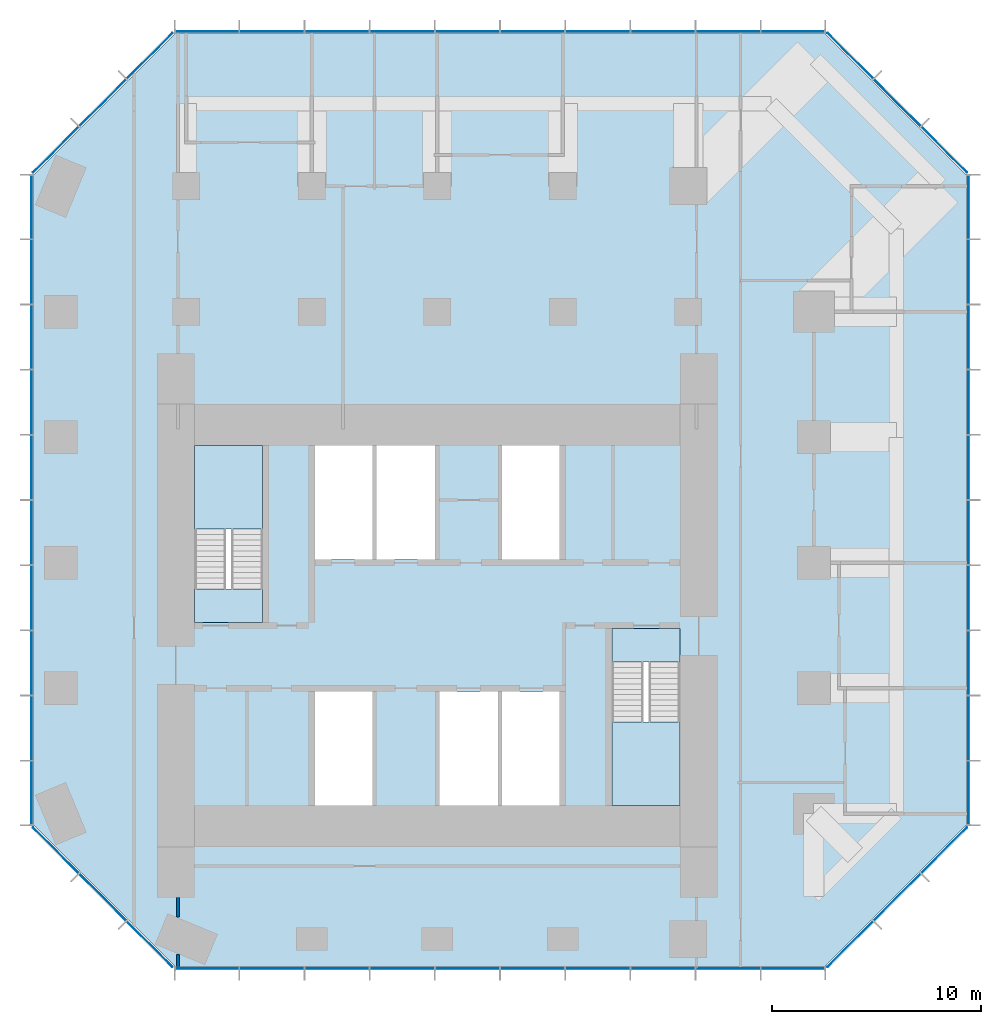
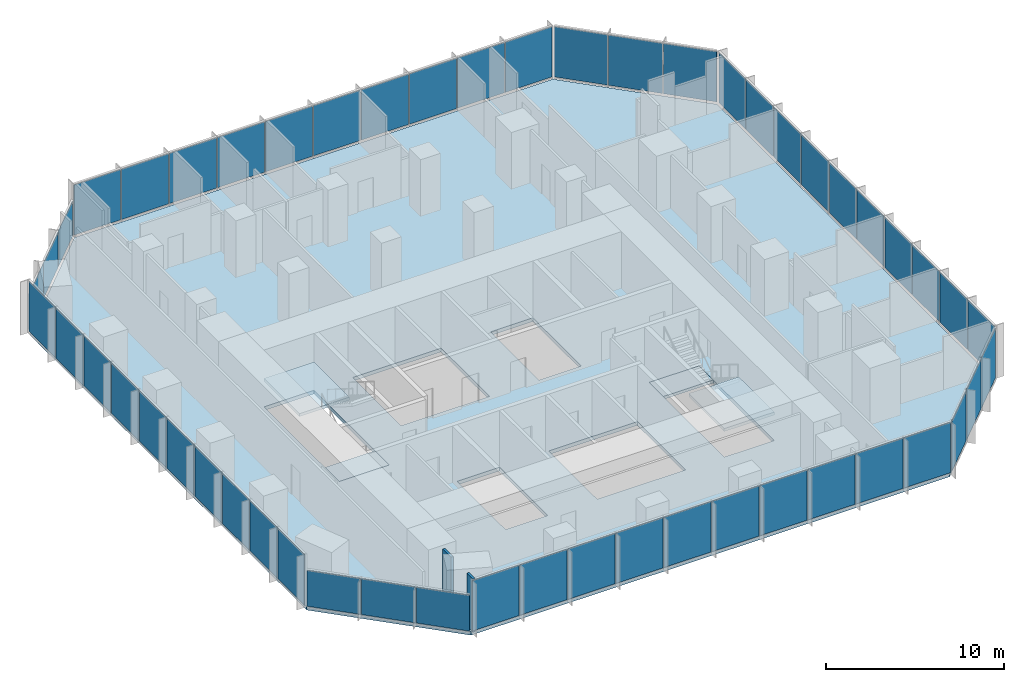
# One storey, part 7 of 11: 52 plates, 5 slabs, 2 walls, 10 elements without a shape of their own.
"""IFC4 building model written with IfcOpenShell, lengths in metres."""

from ifc_helpers import new_model, si_unit, direction, frame, frame_2d, origin, origin_2d, place, context, subcontext, project, spatial, polyline, rectangle, outline, extrude, material, layer, layer_set, type_object, element, aggregate, save


model = new_model("IFC4")

# Units and contexts
model_context = context("Model", 3, precision=1e-05, world=origin(), true_north=direction((0.0, 1.0)))
body_context = subcontext(model_context, "Body", "Model", "MODEL_VIEW")
ifc_project = project(units=[si_unit("LENGTHUNIT", "METRE"), si_unit("AREAUNIT", "SQUARE_METRE"), si_unit("VOLUMEUNIT", "CUBIC_METRE"), si_unit("PLANEANGLEUNIT", "RADIAN"), si_unit("MASSUNIT", "GRAM", prefix="KILO")], contexts=[model_context])

# Site, building, storey
site_placement = place(None, origin())
site = spatial("IfcSite", under=ifc_project, at=site_placement, CompositionType="ELEMENT")
building_placement = place(site_placement, origin())
building = spatial("IfcBuilding", under=site, at=building_placement, Name="Highveld Stack Headquarters", CompositionType="ELEMENT")
storey_placement = place(building_placement, frame((0.0, 0.0, 185.0)))
storey = spatial("IfcBuildingStorey", under=building, at=storey_placement, Name="L45", CompositionType="ELEMENT", Elevation=185.0)

# Curtain wall, plates
ifc_material_1 = material(Name="Aluminium bronze anodised", Category="aluminium")
ifc_layer_1 = layer(ifc_material_1, 0.199951171875)
ifc_layer_set_1 = layer_set([ifc_layer_1], Name="Aluminium bronze anodised")
curtain_wall_type_1 = type_object("IfcCurtainWallType", Name="CW1 TOWER UNITISED CURTAIN WALL", PredefinedType="NOTDEFINED", material=ifc_layer_set_1)
curtain_wall_1_placement = place(storey_placement, origin())
curtain_wall_1 = element("IfcCurtainWall", 1, at=curtain_wall_1_placement, inside=storey, type_object=curtain_wall_type_1, Name="Curtain wall CW1 L45 S", PredefinedType="NOTDEFINED")
ifc_material_2 = material(Name="Glass bronze tinted double glazed unit", Category="glass")
ifc_layer_2 = layer(ifc_material_2, 0.028076171875)
ifc_layer_set_2 = layer_set([ifc_layer_2], Name="Glass bronze tinted double glazed unit")
plate_type_1 = type_object("IfcPlateType", Name="CW1 PANEL BRONZE TINTED DOUBLE GLAZED UNIT", PredefinedType="CURTAIN_PANEL", material=ifc_layer_set_2)
plate_1_placement = place(storey_placement, frame((-5.005615234375, -13.39990234375, 0.10009765625), z_axis=(0.0, 0.0, 1.0), x_axis=(1.0, 0.0, 0.0)))
plate_1 = element("IfcPlate", 2, at=plate_1_placement, type_object=plate_type_1, Name="CW1 panel L45 1.1", PredefinedType="CURTAIN_PANEL", context=body_context, shape_type="SweptSolid", body=[
    extrude(rectangle(XDim=3.0185546875, YDim=0.028076171875, at=origin_2d()), origin(), (0.0, 0.0, 1.0), 3.449951171875),
])
plate_2_placement = place(storey_placement, frame((-1.906005859375, -13.39990234375, 0.10009765625), z_axis=(0.0, 0.0, 1.0), x_axis=(1.0, 0.0, 0.0)))
plate_2 = element("IfcPlate", 3, at=plate_2_placement, type_object=plate_type_1, Name="CW1 panel L45 2.1", PredefinedType="CURTAIN_PANEL", context=body_context, shape_type="SweptSolid", body=[
    extrude(rectangle(XDim=3.051025390625, YDim=0.028076171875, at=origin_2d()), origin(), (0.0, 0.0, 1.0), 3.449951171875),
])
plate_3_placement = place(storey_placement, frame((1.2099609375, -13.39990234375, 0.10009765625), z_axis=(0.0, 0.0, 1.0), x_axis=(1.0, 0.0, 0.0)))
plate_3 = element("IfcPlate", 4, at=plate_3_placement, type_object=plate_type_1, Name="CW1 panel L45 3.1", PredefinedType="CURTAIN_PANEL", context=body_context, shape_type="SweptSolid", body=[
    extrude(rectangle(XDim=3.051025390625, YDim=0.028076171875, at=origin_2d()), origin(), (0.0, 0.0, 1.0), 3.449951171875),
])
plate_4_placement = place(storey_placement, frame((4.325927734375, -13.39990234375, 0.10009765625), z_axis=(0.0, 0.0, 1.0), x_axis=(1.0, 0.0, 0.0)))
plate_4 = element("IfcPlate", 5, at=plate_4_placement, type_object=plate_type_1, Name="CW1 panel L45 4.1", PredefinedType="CURTAIN_PANEL", context=body_context, shape_type="SweptSolid", body=[
    extrude(rectangle(XDim=3.051025390625, YDim=0.028076171875, at=origin_2d()), origin(), (0.0, 0.0, 1.0), 3.449951171875),
])
plate_5_placement = place(storey_placement, frame((7.44189453125, -13.39990234375, 0.10009765625), z_axis=(0.0, 0.0, 1.0), x_axis=(1.0, 0.0, 0.0)))
plate_5 = element("IfcPlate", 6, at=plate_5_placement, type_object=plate_type_1, Name="CW1 panel L45 5.1", PredefinedType="CURTAIN_PANEL", context=body_context, shape_type="SweptSolid", body=[
    extrude(rectangle(XDim=3.051025390625, YDim=0.028076171875, at=origin_2d()), origin(), (0.0, 0.0, 1.0), 3.449951171875),
])
plate_6_placement = place(storey_placement, frame((10.55810546875, -13.39990234375, 0.10009765625), z_axis=(0.0, 0.0, 1.0), x_axis=(1.0, 0.0, 0.0)))
plate_6 = element("IfcPlate", 7, at=plate_6_placement, type_object=plate_type_1, Name="CW1 panel L45 6.1", PredefinedType="CURTAIN_PANEL", context=body_context, shape_type="SweptSolid", body=[
    extrude(rectangle(XDim=3.051025390625, YDim=0.028076171875, at=origin_2d()), origin(), (0.0, 0.0, 1.0), 3.449951171875),
])
plate_7_placement = place(storey_placement, frame((13.674072265625, -13.39990234375, 0.10009765625), z_axis=(0.0, 0.0, 1.0), x_axis=(1.0, 0.0, 0.0)))
plate_7 = element("IfcPlate", 8, at=plate_7_placement, type_object=plate_type_1, Name="CW1 panel L45 7.1", PredefinedType="CURTAIN_PANEL", context=body_context, shape_type="SweptSolid", body=[
    extrude(rectangle(XDim=3.051025390625, YDim=0.028076171875, at=origin_2d()), origin(), (0.0, 0.0, 1.0), 3.449951171875),
])
plate_8_placement = place(storey_placement, frame((16.789794921875, -13.39990234375, 0.10009765625), z_axis=(0.0, 0.0, 1.0), x_axis=(1.0, 0.0, 0.0)))
plate_8 = element("IfcPlate", 9, at=plate_8_placement, type_object=plate_type_1, Name="CW1 panel L45 8.1", PredefinedType="CURTAIN_PANEL", context=body_context, shape_type="SweptSolid", body=[
    extrude(rectangle(XDim=3.051025390625, YDim=0.028076171875, at=origin_2d()), origin(), (0.0, 0.0, 1.0), 3.449951171875),
])
plate_9_placement = place(storey_placement, frame((19.906005859375, -13.39990234375, 0.10009765625), z_axis=(0.0, 0.0, 1.0), x_axis=(1.0, 0.0, 0.0)))
plate_9 = element("IfcPlate", 10, at=plate_9_placement, type_object=plate_type_1, Name="CW1 panel L45 9.1", PredefinedType="CURTAIN_PANEL", context=body_context, shape_type="SweptSolid", body=[
    extrude(rectangle(XDim=3.051025390625, YDim=0.028076171875, at=origin_2d()), origin(), (0.0, 0.0, 1.0), 3.449951171875),
])
plate_10_placement = place(storey_placement, frame((23.005615234375, -13.39990234375, 0.10009765625), z_axis=(0.0, 0.0, 1.0), x_axis=(1.0, 0.0, 0.0)))
plate_10 = element("IfcPlate", 11, at=plate_10_placement, type_object=plate_type_1, Name="CW1 panel L45 10.1", PredefinedType="CURTAIN_PANEL", context=body_context, shape_type="SweptSolid", body=[
    extrude(rectangle(XDim=3.0185546875, YDim=0.028076171875, at=origin_2d()), origin(), (0.0, 0.0, 1.0), 3.449951171875),
])
aggregate(curtain_wall_1, [plate_1, plate_2, plate_3, plate_4, plate_5, plate_6, plate_7, plate_8, plate_9, plate_10])

curtain_wall_2_placement = place(storey_placement, origin())
curtain_wall_2 = element("IfcCurtainWall", 12, at=curtain_wall_2_placement, inside=storey, type_object=curtain_wall_type_1, Name="Curtain wall CW1 L45 E", PredefinedType="NOTDEFINED")
plate_11_placement = place(storey_placement, frame((31.39990234375, -5.005615234375, 0.10009765625), z_axis=(0.0, 0.0, 1.0), x_axis=(0.0, 1.0, 0.0)))
plate_11 = element("IfcPlate", 13, at=plate_11_placement, type_object=plate_type_1, Name="CW1 panel L45 1.1", PredefinedType="CURTAIN_PANEL", context=body_context, shape_type="SweptSolid", body=[
    extrude(rectangle(XDim=3.0185546875, YDim=0.028076171875, at=origin_2d()), origin(), (0.0, 0.0, 1.0), 3.449951171875),
])
plate_12_placement = place(storey_placement, frame((31.39990234375, -1.906005859375, 0.10009765625), z_axis=(0.0, 0.0, 1.0), x_axis=(0.0, 1.0, 0.0)))
plate_12 = element("IfcPlate", 14, at=plate_12_placement, type_object=plate_type_1, Name="CW1 panel L45 2.1", PredefinedType="CURTAIN_PANEL", context=body_context, shape_type="SweptSolid", body=[
    extrude(rectangle(XDim=3.051025390625, YDim=0.028076171875, at=origin_2d()), origin(), (0.0, 0.0, 1.0), 3.449951171875),
])
plate_13_placement = place(storey_placement, frame((31.39990234375, 1.2099609375, 0.10009765625), z_axis=(0.0, 0.0, 1.0), x_axis=(0.0, 1.0, 0.0)))
plate_13 = element("IfcPlate", 15, at=plate_13_placement, type_object=plate_type_1, Name="CW1 panel L45 3.1", PredefinedType="CURTAIN_PANEL", context=body_context, shape_type="SweptSolid", body=[
    extrude(rectangle(XDim=3.051025390625, YDim=0.028076171875, at=origin_2d()), origin(), (0.0, 0.0, 1.0), 3.449951171875),
])
plate_14_placement = place(storey_placement, frame((31.39990234375, 4.325927734375, 0.10009765625), z_axis=(0.0, 0.0, 1.0), x_axis=(0.0, 1.0, 0.0)))
plate_14 = element("IfcPlate", 16, at=plate_14_placement, type_object=plate_type_1, Name="CW1 panel L45 4.1", PredefinedType="CURTAIN_PANEL", context=body_context, shape_type="SweptSolid", body=[
    extrude(rectangle(XDim=3.051025390625, YDim=0.028076171875, at=origin_2d()), origin(), (0.0, 0.0, 1.0), 3.449951171875),
])
plate_15_placement = place(storey_placement, frame((31.39990234375, 7.44189453125, 0.10009765625), z_axis=(0.0, 0.0, 1.0), x_axis=(0.0, 1.0, 0.0)))
plate_15 = element("IfcPlate", 17, at=plate_15_placement, type_object=plate_type_1, Name="CW1 panel L45 5.1", PredefinedType="CURTAIN_PANEL", context=body_context, shape_type="SweptSolid", body=[
    extrude(rectangle(XDim=3.051025390625, YDim=0.028076171875, at=origin_2d()), origin(), (0.0, 0.0, 1.0), 3.449951171875),
])
plate_16_placement = place(storey_placement, frame((31.39990234375, 10.55810546875, 0.10009765625), z_axis=(0.0, 0.0, 1.0), x_axis=(0.0, 1.0, 0.0)))
plate_16 = element("IfcPlate", 18, at=plate_16_placement, type_object=plate_type_1, Name="CW1 panel L45 6.1", PredefinedType="CURTAIN_PANEL", context=body_context, shape_type="SweptSolid", body=[
    extrude(rectangle(XDim=3.051025390625, YDim=0.028076171875, at=origin_2d()), origin(), (0.0, 0.0, 1.0), 3.449951171875),
])
plate_17_placement = place(storey_placement, frame((31.39990234375, 13.674072265625, 0.10009765625), z_axis=(0.0, 0.0, 1.0), x_axis=(0.0, 1.0, 0.0)))
plate_17 = element("IfcPlate", 19, at=plate_17_placement, type_object=plate_type_1, Name="CW1 panel L45 7.1", PredefinedType="CURTAIN_PANEL", context=body_context, shape_type="SweptSolid", body=[
    extrude(rectangle(XDim=3.051025390625, YDim=0.028076171875, at=origin_2d()), origin(), (0.0, 0.0, 1.0), 3.449951171875),
])
plate_18_placement = place(storey_placement, frame((31.39990234375, 16.789794921875, 0.10009765625), z_axis=(0.0, 0.0, 1.0), x_axis=(0.0, 1.0, 0.0)))
plate_18 = element("IfcPlate", 20, at=plate_18_placement, type_object=plate_type_1, Name="CW1 panel L45 8.1", PredefinedType="CURTAIN_PANEL", context=body_context, shape_type="SweptSolid", body=[
    extrude(rectangle(XDim=3.051025390625, YDim=0.028076171875, at=origin_2d()), origin(), (0.0, 0.0, 1.0), 3.449951171875),
])
plate_19_placement = place(storey_placement, frame((31.39990234375, 19.906005859375, 0.10009765625), z_axis=(0.0, 0.0, 1.0), x_axis=(0.0, 1.0, 0.0)))
plate_19 = element("IfcPlate", 21, at=plate_19_placement, type_object=plate_type_1, Name="CW1 panel L45 9.1", PredefinedType="CURTAIN_PANEL", context=body_context, shape_type="SweptSolid", body=[
    extrude(rectangle(XDim=3.051025390625, YDim=0.028076171875, at=origin_2d()), origin(), (0.0, 0.0, 1.0), 3.449951171875),
])
plate_20_placement = place(storey_placement, frame((31.39990234375, 23.005615234375, 0.10009765625), z_axis=(0.0, 0.0, 1.0), x_axis=(0.0, 1.0, 0.0)))
plate_20 = element("IfcPlate", 22, at=plate_20_placement, type_object=plate_type_1, Name="CW1 panel L45 10.1", PredefinedType="CURTAIN_PANEL", context=body_context, shape_type="SweptSolid", body=[
    extrude(rectangle(XDim=3.0185546875, YDim=0.028076171875, at=origin_2d()), origin(), (0.0, 0.0, 1.0), 3.449951171875),
])
aggregate(curtain_wall_2, [plate_11, plate_12, plate_13, plate_14, plate_15, plate_16, plate_17, plate_18, plate_19, plate_20])

curtain_wall_3_placement = place(storey_placement, origin())
curtain_wall_3 = element("IfcCurtainWall", 23, at=curtain_wall_3_placement, inside=storey, type_object=curtain_wall_type_1, Name="Curtain wall CW1 L45 N", PredefinedType="NOTDEFINED")
plate_21_placement = place(storey_placement, frame((23.005615234375, 31.39990234375, 0.10009765625), z_axis=(0.0, 0.0, 1.0), x_axis=(-1.0, 0.0, 0.0)))
plate_21 = element("IfcPlate", 24, at=plate_21_placement, type_object=plate_type_1, Name="CW1 panel L45 1.1", PredefinedType="CURTAIN_PANEL", context=body_context, shape_type="SweptSolid", body=[
    extrude(rectangle(XDim=3.0185546875, YDim=0.028076171875, at=origin_2d()), origin(), (0.0, 0.0, 1.0), 3.449951171875),
])
plate_22_placement = place(storey_placement, frame((19.906005859375, 31.39990234375, 0.10009765625), z_axis=(0.0, 0.0, 1.0), x_axis=(-1.0, 0.0, 0.0)))
plate_22 = element("IfcPlate", 25, at=plate_22_placement, type_object=plate_type_1, Name="CW1 panel L45 2.1", PredefinedType="CURTAIN_PANEL", context=body_context, shape_type="SweptSolid", body=[
    extrude(rectangle(XDim=3.051025390625, YDim=0.028076171875, at=origin_2d()), origin(), (0.0, 0.0, 1.0), 3.449951171875),
])
plate_23_placement = place(storey_placement, frame((16.7900390625, 31.39990234375, 0.10009765625), z_axis=(0.0, 0.0, 1.0), x_axis=(-1.0, 0.0, 0.0)))
plate_23 = element("IfcPlate", 26, at=plate_23_placement, type_object=plate_type_1, Name="CW1 panel L45 3.1", PredefinedType="CURTAIN_PANEL", context=body_context, shape_type="SweptSolid", body=[
    extrude(rectangle(XDim=3.051025390625, YDim=0.028076171875, at=origin_2d()), origin(), (0.0, 0.0, 1.0), 3.449951171875),
])
plate_24_placement = place(storey_placement, frame((13.674072265625, 31.39990234375, 0.10009765625), z_axis=(0.0, 0.0, 1.0), x_axis=(-1.0, 0.0, 0.0)))
plate_24 = element("IfcPlate", 27, at=plate_24_placement, type_object=plate_type_1, Name="CW1 panel L45 4.1", PredefinedType="CURTAIN_PANEL", context=body_context, shape_type="SweptSolid", body=[
    extrude(rectangle(XDim=3.051025390625, YDim=0.028076171875, at=origin_2d()), origin(), (0.0, 0.0, 1.0), 3.449951171875),
])
plate_25_placement = place(storey_placement, frame((10.55810546875, 31.39990234375, 0.10009765625), z_axis=(0.0, 0.0, 1.0), x_axis=(-1.0, 0.0, 0.0)))
plate_25 = element("IfcPlate", 28, at=plate_25_placement, type_object=plate_type_1, Name="CW1 panel L45 5.1", PredefinedType="CURTAIN_PANEL", context=body_context, shape_type="SweptSolid", body=[
    extrude(rectangle(XDim=3.051025390625, YDim=0.028076171875, at=origin_2d()), origin(), (0.0, 0.0, 1.0), 3.449951171875),
])
plate_26_placement = place(storey_placement, frame((7.44189453125, 31.39990234375, 0.10009765625), z_axis=(0.0, 0.0, 1.0), x_axis=(-1.0, 0.0, 0.0)))
plate_26 = element("IfcPlate", 29, at=plate_26_placement, type_object=plate_type_1, Name="CW1 panel L45 6.1", PredefinedType="CURTAIN_PANEL", context=body_context, shape_type="SweptSolid", body=[
    extrude(rectangle(XDim=3.051025390625, YDim=0.028076171875, at=origin_2d()), origin(), (0.0, 0.0, 1.0), 3.449951171875),
])
plate_27_placement = place(storey_placement, frame((4.325927734375, 31.39990234375, 0.10009765625), z_axis=(0.0, 0.0, 1.0), x_axis=(-1.0, 0.0, 0.0)))
plate_27 = element("IfcPlate", 30, at=plate_27_placement, type_object=plate_type_1, Name="CW1 panel L45 7.1", PredefinedType="CURTAIN_PANEL", context=body_context, shape_type="SweptSolid", body=[
    extrude(rectangle(XDim=3.051025390625, YDim=0.028076171875, at=origin_2d()), origin(), (0.0, 0.0, 1.0), 3.449951171875),
])
plate_28_placement = place(storey_placement, frame((1.210205078125, 31.39990234375, 0.10009765625), z_axis=(0.0, 0.0, 1.0), x_axis=(-1.0, 0.0, 0.0)))
plate_28 = element("IfcPlate", 31, at=plate_28_placement, type_object=plate_type_1, Name="CW1 panel L45 8.1", PredefinedType="CURTAIN_PANEL", context=body_context, shape_type="SweptSolid", body=[
    extrude(rectangle(XDim=3.051025390625, YDim=0.028076171875, at=origin_2d()), origin(), (0.0, 0.0, 1.0), 3.449951171875),
])
plate_29_placement = place(storey_placement, frame((-1.906005859375, 31.39990234375, 0.10009765625), z_axis=(0.0, 0.0, 1.0), x_axis=(-1.0, 0.0, 0.0)))
plate_29 = element("IfcPlate", 32, at=plate_29_placement, type_object=plate_type_1, Name="CW1 panel L45 9.1", PredefinedType="CURTAIN_PANEL", context=body_context, shape_type="SweptSolid", body=[
    extrude(rectangle(XDim=3.051025390625, YDim=0.028076171875, at=origin_2d()), origin(), (0.0, 0.0, 1.0), 3.449951171875),
])
plate_30_placement = place(storey_placement, frame((-5.005615234375, 31.39990234375, 0.10009765625), z_axis=(0.0, 0.0, 1.0), x_axis=(-1.0, 0.0, 0.0)))
plate_30 = element("IfcPlate", 33, at=plate_30_placement, type_object=plate_type_1, Name="CW1 panel L45 10.1", PredefinedType="CURTAIN_PANEL", context=body_context, shape_type="SweptSolid", body=[
    extrude(rectangle(XDim=3.0185546875, YDim=0.028076171875, at=origin_2d()), origin(), (0.0, 0.0, 1.0), 3.449951171875),
])
aggregate(curtain_wall_3, [plate_21, plate_22, plate_23, plate_24, plate_25, plate_26, plate_27, plate_28, plate_29, plate_30])

curtain_wall_4_placement = place(storey_placement, origin())
curtain_wall_4 = element("IfcCurtainWall", 34, at=curtain_wall_4_placement, inside=storey, type_object=curtain_wall_type_1, Name="Curtain wall CW1 L45 W", PredefinedType="NOTDEFINED")
plate_31_placement = place(storey_placement, frame((-13.39990234375, 23.005615234375, 0.10009765625), z_axis=(0.0, 0.0, 1.0), x_axis=(0.0, -1.0, 0.0)))
plate_31 = element("IfcPlate", 35, at=plate_31_placement, type_object=plate_type_1, Name="CW1 panel L45 1.1", PredefinedType="CURTAIN_PANEL", context=body_context, shape_type="SweptSolid", body=[
    extrude(rectangle(XDim=3.0185546875, YDim=0.028076171875, at=origin_2d()), origin(), (0.0, 0.0, 1.0), 3.449951171875),
])
plate_32_placement = place(storey_placement, frame((-13.39990234375, 19.906005859375, 0.10009765625), z_axis=(0.0, 0.0, 1.0), x_axis=(0.0, -1.0, 0.0)))
plate_32 = element("IfcPlate", 36, at=plate_32_placement, type_object=plate_type_1, Name="CW1 panel L45 2.1", PredefinedType="CURTAIN_PANEL", context=body_context, shape_type="SweptSolid", body=[
    extrude(rectangle(XDim=3.051025390625, YDim=0.028076171875, at=origin_2d()), origin(), (0.0, 0.0, 1.0), 3.449951171875),
])
plate_33_placement = place(storey_placement, frame((-13.39990234375, 16.7900390625, 0.10009765625), z_axis=(0.0, 0.0, 1.0), x_axis=(0.0, -1.0, 0.0)))
plate_33 = element("IfcPlate", 37, at=plate_33_placement, type_object=plate_type_1, Name="CW1 panel L45 3.1", PredefinedType="CURTAIN_PANEL", context=body_context, shape_type="SweptSolid", body=[
    extrude(rectangle(XDim=3.051025390625, YDim=0.028076171875, at=origin_2d()), origin(), (0.0, 0.0, 1.0), 3.449951171875),
])
plate_34_placement = place(storey_placement, frame((-13.39990234375, 13.674072265625, 0.10009765625), z_axis=(0.0, 0.0, 1.0), x_axis=(0.0, -1.0, 0.0)))
plate_34 = element("IfcPlate", 38, at=plate_34_placement, type_object=plate_type_1, Name="CW1 panel L45 4.1", PredefinedType="CURTAIN_PANEL", context=body_context, shape_type="SweptSolid", body=[
    extrude(rectangle(XDim=3.051025390625, YDim=0.028076171875, at=origin_2d()), origin(), (0.0, 0.0, 1.0), 3.449951171875),
])
plate_35_placement = place(storey_placement, frame((-13.39990234375, 10.55810546875, 0.10009765625), z_axis=(0.0, 0.0, 1.0), x_axis=(0.0, -1.0, 0.0)))
plate_35 = element("IfcPlate", 39, at=plate_35_placement, type_object=plate_type_1, Name="CW1 panel L45 5.1", PredefinedType="CURTAIN_PANEL", context=body_context, shape_type="SweptSolid", body=[
    extrude(rectangle(XDim=3.051025390625, YDim=0.028076171875, at=origin_2d()), origin(), (0.0, 0.0, 1.0), 3.449951171875),
])
plate_36_placement = place(storey_placement, frame((-13.39990234375, 7.44189453125, 0.10009765625), z_axis=(0.0, 0.0, 1.0), x_axis=(0.0, -1.0, 0.0)))
plate_36 = element("IfcPlate", 40, at=plate_36_placement, type_object=plate_type_1, Name="CW1 panel L45 6.1", PredefinedType="CURTAIN_PANEL", context=body_context, shape_type="SweptSolid", body=[
    extrude(rectangle(XDim=3.051025390625, YDim=0.028076171875, at=origin_2d()), origin(), (0.0, 0.0, 1.0), 3.449951171875),
])
plate_37_placement = place(storey_placement, frame((-13.39990234375, 4.325927734375, 0.10009765625), z_axis=(0.0, 0.0, 1.0), x_axis=(0.0, -1.0, 0.0)))
plate_37 = element("IfcPlate", 41, at=plate_37_placement, type_object=plate_type_1, Name="CW1 panel L45 7.1", PredefinedType="CURTAIN_PANEL", context=body_context, shape_type="SweptSolid", body=[
    extrude(rectangle(XDim=3.051025390625, YDim=0.028076171875, at=origin_2d()), origin(), (0.0, 0.0, 1.0), 3.449951171875),
])
plate_38_placement = place(storey_placement, frame((-13.39990234375, 1.210205078125, 0.10009765625), z_axis=(0.0, 0.0, 1.0), x_axis=(0.0, -1.0, 0.0)))
plate_38 = element("IfcPlate", 42, at=plate_38_placement, type_object=plate_type_1, Name="CW1 panel L45 8.1", PredefinedType="CURTAIN_PANEL", context=body_context, shape_type="SweptSolid", body=[
    extrude(rectangle(XDim=3.051025390625, YDim=0.028076171875, at=origin_2d()), origin(), (0.0, 0.0, 1.0), 3.449951171875),
])
plate_39_placement = place(storey_placement, frame((-13.39990234375, -1.906005859375, 0.10009765625), z_axis=(0.0, 0.0, 1.0), x_axis=(0.0, -1.0, 0.0)))
plate_39 = element("IfcPlate", 43, at=plate_39_placement, type_object=plate_type_1, Name="CW1 panel L45 9.1", PredefinedType="CURTAIN_PANEL", context=body_context, shape_type="SweptSolid", body=[
    extrude(rectangle(XDim=3.051025390625, YDim=0.028076171875, at=origin_2d()), origin(), (0.0, 0.0, 1.0), 3.449951171875),
])
plate_40_placement = place(storey_placement, frame((-13.39990234375, -5.005615234375, 0.10009765625), z_axis=(0.0, 0.0, 1.0), x_axis=(0.0, -1.0, 0.0)))
plate_40 = element("IfcPlate", 44, at=plate_40_placement, type_object=plate_type_1, Name="CW1 panel L45 10.1", PredefinedType="CURTAIN_PANEL", context=body_context, shape_type="SweptSolid", body=[
    extrude(rectangle(XDim=3.0185546875, YDim=0.028076171875, at=origin_2d()), origin(), (0.0, 0.0, 1.0), 3.449951171875),
])
aggregate(curtain_wall_4, [plate_31, plate_32, plate_33, plate_34, plate_35, plate_36, plate_37, plate_38, plate_39, plate_40])

ifc_material_3 = material(Name="Aluminium bronze anodised", Category="aluminium")
ifc_layer_3 = layer(ifc_material_3, 0.199951171875)
ifc_layer_set_3 = layer_set([ifc_layer_3], Name="Aluminium bronze anodised")
curtain_wall_type_2 = type_object("IfcCurtainWallType", Name="CW2 TOWER CHAMFER UNITISED CURTAIN WALL", PredefinedType="NOTDEFINED", material=ifc_layer_set_3)
curtain_wall_5_placement = place(storey_placement, origin())
curtain_wall_5 = element("IfcCurtainWall", 45, at=curtain_wall_5_placement, inside=storey, type_object=curtain_wall_type_2, Name="Curtain wall CW2 L45 SE", PredefinedType="NOTDEFINED")
ifc_material_4 = material(Name="Glass bronze tinted double glazed unit", Category="glass")
ifc_layer_4 = layer(ifc_material_4, 0.028076171875)
ifc_layer_set_4 = layer_set([ifc_layer_4], Name="Glass bronze tinted double glazed unit")
plate_type_2 = type_object("IfcPlateType", Name="CW2 PANEL BRONZE TINTED DOUBLE GLAZED UNIT", PredefinedType="CURTAIN_PANEL", material=ifc_layer_set_4)
plate_41_placement = place(storey_placement, frame((25.740478515625, -12.239501953125, 0.10009765625), z_axis=(0.0, 0.0, 1.0), x_axis=(0.707106781187, 0.707106781187, 0.0)))
plate_41 = element("IfcPlate", 46, at=plate_41_placement, type_object=plate_type_2, Name="CW2 panel L45 1.1", PredefinedType="CURTAIN_PANEL", context=body_context, shape_type="SweptSolid", body=[
    extrude(rectangle(XDim=3.08251953125, YDim=0.028076171875, at=origin_2d()), origin(), (0.0, 0.0, 1.0), 3.449951171875),
])
plate_42_placement = place(storey_placement, frame((27.989990234375, -9.989990234375, 0.10009765625), z_axis=(0.0, 0.0, 1.0), x_axis=(0.707106781187, 0.707106781187, 0.0)))
plate_42 = element("IfcPlate", 47, at=plate_42_placement, type_object=plate_type_2, Name="CW2 panel L45 2.1", PredefinedType="CURTAIN_PANEL", context=body_context, shape_type="SweptSolid", body=[
    extrude(rectangle(XDim=3.14990234375, YDim=0.028076171875, at=origin_2d()), origin(), (0.0, 0.0, 1.0), 3.449951171875),
])
plate_43_placement = place(storey_placement, frame((30.239501953125, -7.740478515625, 0.10009765625), z_axis=(0.0, 0.0, 1.0), x_axis=(0.707106781187, 0.707106781187, 0.0)))
plate_43 = element("IfcPlate", 48, at=plate_43_placement, type_object=plate_type_2, Name="CW2 panel L45 3.1", PredefinedType="CURTAIN_PANEL", context=body_context, shape_type="SweptSolid", body=[
    extrude(rectangle(XDim=3.08251953125, YDim=0.028076171875, at=origin_2d()), origin(), (0.0, 0.0, 1.0), 3.449951171875),
])
aggregate(curtain_wall_5, [plate_41, plate_42, plate_43])

curtain_wall_6_placement = place(storey_placement, origin())
curtain_wall_6 = element("IfcCurtainWall", 49, at=curtain_wall_6_placement, inside=storey, type_object=curtain_wall_type_2, Name="Curtain wall CW2 L45 NE", PredefinedType="NOTDEFINED")
plate_44_placement = place(storey_placement, frame((30.239501953125, 25.740478515625, 0.10009765625), z_axis=(0.0, 0.0, 1.0), x_axis=(-0.707106781187, 0.707106781187, 0.0)))
plate_44 = element("IfcPlate", 50, at=plate_44_placement, type_object=plate_type_2, Name="CW2 panel L45 1.1", PredefinedType="CURTAIN_PANEL", context=body_context, shape_type="SweptSolid", body=[
    extrude(rectangle(XDim=3.08251953125, YDim=0.028076171875, at=origin_2d()), origin(), (0.0, 0.0, 1.0), 3.449951171875),
])
plate_45_placement = place(storey_placement, frame((27.989990234375, 27.989990234375, 0.10009765625), z_axis=(0.0, 0.0, 1.0), x_axis=(-0.707106781187, 0.707106781187, 0.0)))
plate_45 = element("IfcPlate", 51, at=plate_45_placement, type_object=plate_type_2, Name="CW2 panel L45 2.1", PredefinedType="CURTAIN_PANEL", context=body_context, shape_type="SweptSolid", body=[
    extrude(rectangle(XDim=3.14990234375, YDim=0.028076171875, at=origin_2d()), origin(), (0.0, 0.0, 1.0), 3.449951171875),
])
plate_46_placement = place(storey_placement, frame((25.740478515625, 30.239501953125, 0.10009765625), z_axis=(0.0, 0.0, 1.0), x_axis=(-0.707106781187, 0.707106781187, 0.0)))
plate_46 = element("IfcPlate", 52, at=plate_46_placement, type_object=plate_type_2, Name="CW2 panel L45 3.1", PredefinedType="CURTAIN_PANEL", context=body_context, shape_type="SweptSolid", body=[
    extrude(rectangle(XDim=3.08251953125, YDim=0.028076171875, at=origin_2d()), origin(), (0.0, 0.0, 1.0), 3.449951171875),
])
aggregate(curtain_wall_6, [plate_44, plate_45, plate_46])

curtain_wall_7_placement = place(storey_placement, origin())
curtain_wall_7 = element("IfcCurtainWall", 53, at=curtain_wall_7_placement, inside=storey, type_object=curtain_wall_type_2, Name="Curtain wall CW2 L45 NW", PredefinedType="NOTDEFINED")
plate_47_placement = place(storey_placement, frame((-7.740478515625, 30.239501953125, 0.10009765625), z_axis=(0.0, 0.0, 1.0), x_axis=(-0.707106781187, -0.707106781187, 0.0)))
plate_47 = element("IfcPlate", 54, at=plate_47_placement, type_object=plate_type_2, Name="CW2 panel L45 1.1", PredefinedType="CURTAIN_PANEL", context=body_context, shape_type="SweptSolid", body=[
    extrude(rectangle(XDim=3.08251953125, YDim=0.028076171875, at=origin_2d()), origin(), (0.0, 0.0, 1.0), 2.449951171875),
])
plate_48_placement = place(storey_placement, frame((-9.989990234375, 27.989990234375, 0.10009765625), z_axis=(0.0, 0.0, 1.0), x_axis=(-0.707106781187, -0.707106781187, 0.0)))
plate_48 = element("IfcPlate", 55, at=plate_48_placement, type_object=plate_type_2, Name="CW2 panel L45 2.1", PredefinedType="CURTAIN_PANEL", context=body_context, shape_type="SweptSolid", body=[
    extrude(rectangle(XDim=3.14990234375, YDim=0.028076171875, at=origin_2d()), origin(), (0.0, 0.0, 1.0), 2.449951171875),
])
plate_49_placement = place(storey_placement, frame((-12.239501953125, 25.740478515625, 0.10009765625), z_axis=(0.0, 0.0, 1.0), x_axis=(-0.707106781187, -0.707106781187, 0.0)))
plate_49 = element("IfcPlate", 56, at=plate_49_placement, type_object=plate_type_2, Name="CW2 panel L45 3.1", PredefinedType="CURTAIN_PANEL", context=body_context, shape_type="SweptSolid", body=[
    extrude(rectangle(XDim=3.08251953125, YDim=0.028076171875, at=origin_2d()), origin(), (0.0, 0.0, 1.0), 2.449951171875),
])
aggregate(curtain_wall_7, [plate_47, plate_48, plate_49])

curtain_wall_8_placement = place(storey_placement, origin())
curtain_wall_8 = element("IfcCurtainWall", 57, at=curtain_wall_8_placement, inside=storey, type_object=curtain_wall_type_2, Name="Curtain wall CW2 L45 SW", PredefinedType="NOTDEFINED")
plate_50_placement = place(storey_placement, frame((-12.239501953125, -7.740478515625, 0.10009765625), z_axis=(0.0, 0.0, 1.0), x_axis=(0.707106781187, -0.707106781187, 0.0)))
plate_50 = element("IfcPlate", 58, at=plate_50_placement, type_object=plate_type_2, Name="CW2 panel L45 1.1", PredefinedType="CURTAIN_PANEL", context=body_context, shape_type="SweptSolid", body=[
    extrude(rectangle(XDim=3.08251953125, YDim=0.028076171875, at=origin_2d()), origin(), (0.0, 0.0, 1.0), 2.449951171875),
])
plate_51_placement = place(storey_placement, frame((-9.989990234375, -9.989990234375, 0.10009765625), z_axis=(0.0, 0.0, 1.0), x_axis=(0.707106781187, -0.707106781187, 0.0)))
plate_51 = element("IfcPlate", 59, at=plate_51_placement, type_object=plate_type_2, Name="CW2 panel L45 2.1", PredefinedType="CURTAIN_PANEL", context=body_context, shape_type="SweptSolid", body=[
    extrude(rectangle(XDim=3.14990234375, YDim=0.028076171875, at=origin_2d()), origin(), (0.0, 0.0, 1.0), 2.449951171875),
])
plate_52_placement = place(storey_placement, frame((-7.740478515625, -12.239501953125, 0.10009765625), z_axis=(0.0, 0.0, 1.0), x_axis=(0.707106781187, -0.707106781187, 0.0)))
plate_52 = element("IfcPlate", 60, at=plate_52_placement, type_object=plate_type_2, Name="CW2 panel L45 3.1", PredefinedType="CURTAIN_PANEL", context=body_context, shape_type="SweptSolid", body=[
    extrude(rectangle(XDim=3.08251953125, YDim=0.028076171875, at=origin_2d()), origin(), (0.0, 0.0, 1.0), 2.449951171875),
])
aggregate(curtain_wall_8, [plate_50, plate_51, plate_52])

# Slab
ifc_material_5 = material(Name="Concrete C60/75", Category="concrete")
ifc_layer_5 = layer(ifc_material_5, 0.25)
ifc_layer_set_5 = layer_set([ifc_layer_5], Name="Concrete C60/75")
slab_type_1 = type_object("IfcSlabType", Name="PT FLAT SLAB 250", PredefinedType="FLOOR", material=ifc_layer_set_5)
slab_1_placement = place(storey_placement, frame((0.0, 0.0, -0.25)))
element("IfcSlab", 61, at=slab_1_placement, inside=storey, type_object=slab_type_1, Name="Floor slab L45", PredefinedType="FLOOR", context=body_context, shape_type="SweptSolid", body=[
    extrude(outline(polyline([(-6.53857421875, -13.300048828125), (24.53857421875, -13.300048828125), (31.300048828125, -6.53857421875), (31.300048828125, 24.53857421875), (24.53857421875, 31.300048828125), (-6.53857421875, 31.300048828125), (-13.300048828125, 24.53857421875), (-13.300048828125, -6.53857421875), (-6.53857421875, -13.300048828125)]), holes=[polyline([(0.14990234375, 6.14990234375), (5.89990234375, 6.14990234375), (5.89990234375, 11.60009765625), (0.14990234375, 11.60009765625), (0.14990234375, 6.14990234375)]), polyline([(9.10009765625, 6.14990234375), (11.85009765625, 6.14990234375), (11.85009765625, 11.60009765625), (9.10009765625, 11.60009765625), (9.10009765625, 6.14990234375)]), polyline([(6.10009765625, -5.60009765625), (11.85009765625, -5.60009765625), (11.85009765625, -0.14990234375), (6.10009765625, -0.14990234375), (6.10009765625, -5.60009765625)]), polyline([(0.14990234375, -5.60009765625), (2.89990234375, -5.60009765625), (2.89990234375, -0.14990234375), (0.14990234375, -0.14990234375), (0.14990234375, -5.60009765625)]), polyline([(-5.60009765625, 3.14990234375), (-2.35009765625, 3.14990234375), (-2.35009765625, 11.60009765625), (-5.60009765625, 11.60009765625), (-5.60009765625, 3.14990234375)]), polyline([(14.35009765625, -5.60009765625), (17.60009765625, -5.60009765625), (17.60009765625, 2.85009765625), (14.35009765625, 2.85009765625), (14.35009765625, -5.60009765625)])]), origin(), (0.0, 0.0, 1.0), 0.25),
])

# Stair, slabs
ifc_material_6 = material(Name="Concrete C40/50, precast", Category="concrete")
stair_type_1 = type_object("IfcStairType", Name="STAIR S1 HALF TURN 1500", PredefinedType="HALF_TURN_STAIR", material=ifc_material_6)
stair_1_placement = place(storey_placement, origin())
stair_1 = element("IfcStair", 62, at=stair_1_placement, inside=storey, type_object=stair_type_1, Name="Stair S1 L45", PredefinedType="HALF_TURN_STAIR")
ifc_material_7 = material(Name="Concrete C40/50, precast", Category="concrete")
ifc_layer_6 = layer(ifc_material_7, 0.199951171875)
ifc_layer_set_6 = layer_set([ifc_layer_6], Name="Concrete C40/50, precast")
slab_type_2 = type_object("IfcSlabType", Name="STAIR LANDING 200", PredefinedType="LANDING", material=ifc_layer_set_6)
slab_2_placement = place(storey_placement, frame((0.0, 0.0, 1.75)))
slab_2 = element("IfcSlab", 63, at=slab_2_placement, type_object=slab_type_2, Name="S1 landing 1", PredefinedType="LANDING", context=body_context, shape_type="SweptSolid", body=[
    extrude(outline(polyline([(-5.60009765625, 7.610107421875), (-2.35009765625, 7.610107421875), (-2.35009765625, 11.60009765625), (-5.60009765625, 11.60009765625), (-5.60009765625, 7.610107421875)])), origin(), (0.0, 0.0, 1.0), 0.199951171875),
])
slab_3_placement = place(storey_placement, frame((0.0, 0.0, -0.199951171875)))
slab_3 = element("IfcSlab", 64, at=slab_3_placement, type_object=slab_type_2, Name="S1 landing 2", PredefinedType="LANDING", context=body_context, shape_type="SweptSolid", body=[
    extrude(outline(polyline([(-5.60009765625, 3.14990234375), (-2.35009765625, 3.14990234375), (-2.35009765625, 4.75), (-5.60009765625, 4.75), (-5.60009765625, 3.14990234375)])), origin(), (0.0, 0.0, 1.0), 0.199951171875),
])
aggregate(stair_1, [slab_2, slab_3])

ifc_material_8 = material(Name="Concrete C40/50, precast", Category="concrete")
stair_type_2 = type_object("IfcStairType", Name="STAIR S2 HALF TURN 1500", PredefinedType="HALF_TURN_STAIR", material=ifc_material_8)
stair_2_placement = place(storey_placement, origin())
stair_2 = element("IfcStair", 65, at=stair_2_placement, inside=storey, type_object=stair_type_2, Name="Stair S2 L45", PredefinedType="HALF_TURN_STAIR")
slab_4_placement = place(storey_placement, frame((0.0, 0.0, 1.75)))
slab_4 = element("IfcSlab", 66, at=slab_4_placement, type_object=slab_type_2, Name="S2 landing 1", PredefinedType="LANDING", context=body_context, shape_type="SweptSolid", body=[
    extrude(outline(polyline([(14.35009765625, -5.60009765625), (17.60009765625, -5.60009765625), (17.60009765625, -1.610107421875), (14.35009765625, -1.610107421875), (14.35009765625, -5.60009765625)])), origin(), (0.0, 0.0, 1.0), 0.199951171875),
])
slab_5_placement = place(storey_placement, frame((0.0, 0.0, -0.199951171875)))
slab_5 = element("IfcSlab", 67, at=slab_5_placement, type_object=slab_type_2, Name="S2 landing 2", PredefinedType="LANDING", context=body_context, shape_type="SweptSolid", body=[
    extrude(outline(polyline([(14.35009765625, 1.25), (17.60009765625, 1.25), (17.60009765625, 2.85009765625), (14.35009765625, 2.85009765625), (14.35009765625, 1.25)])), origin(), (0.0, 0.0, 1.0), 0.199951171875),
])
aggregate(stair_2, [slab_4, slab_5])

# Walls
ifc_material_9 = material(Name="Gypsum plasterboard on steel studs", Category="steel")
ifc_layer_7 = layer(ifc_material_9, 0.14990234375)
ifc_layer_set_7 = layer_set([ifc_layer_7], Name="Gypsum plasterboard on steel studs")
wall_type = type_object("IfcWallType", Name="PARTITION 150 PLASTERBOARD", PredefinedType="PARTITIONING", material=ifc_layer_set_7)
wall_1_placement = place(storey_placement, frame((-6.39990234375, -13.39990234375, 0.0), z_axis=(0.0, 0.0, 1.0), x_axis=(0.0, 1.0, 0.0)))
element("IfcWall", 68, at=wall_1_placement, inside=storey, type_object=wall_type, Name="Partition office neighbourhood L45", PredefinedType="PARTITIONING", context=body_context, shape_type="SweptSolid", body=[
    extrude(rectangle(XDim=0.668701171875, YDim=0.14990234375, at=frame_2d((0.33447265625, 0.0))), origin(), (0.0, 0.0, 1.0), 3.64990234375),
])
wall_2_placement = place(storey_placement, frame((-6.39990234375, -10.937255859375, 0.0), z_axis=(0.0, 0.0, 1.0), x_axis=(0.0, 1.0, 0.0)))
element("IfcWall", 69, at=wall_2_placement, inside=storey, type_object=wall_type, Name="Partition office neighbourhood L45", PredefinedType="PARTITIONING", context=body_context, shape_type="SweptSolid", body=[
    extrude(rectangle(XDim=0.937255859375, YDim=0.14990234375, at=frame_2d((0.46875, 0.0))), origin(), (0.0, 0.0, 1.0), 3.64990234375),
])

save(model, "model.ifc")
